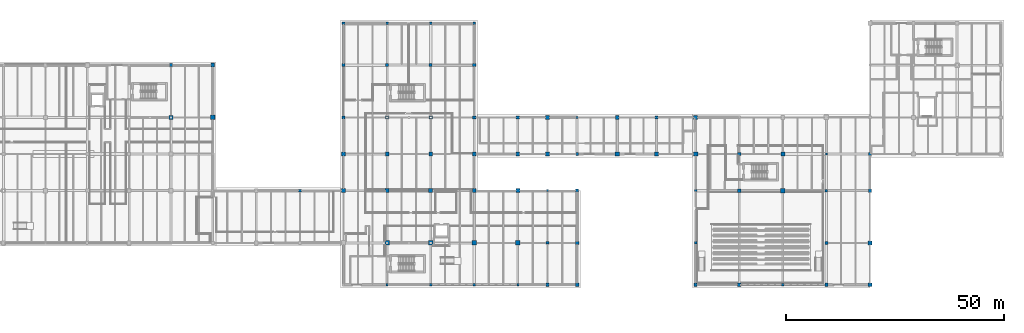
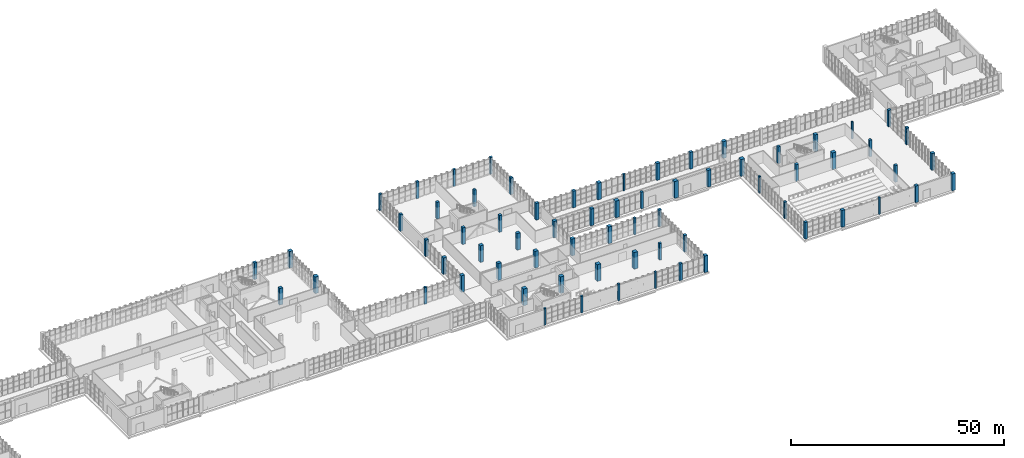
# One storey, part 2 of 121: 69 columns.
"""IFC4 building model written with IfcOpenShell, lengths in metres."""

import ifcopenshell
import ifcopenshell.guid

model = None  # the IFC model being written
_history = None  # IfcOwnerHistory: only IFC2X3 demands one
_inside = {}  # id of a spatial element -> (the spatial element, [elements in it])
_under = {}  # id of a project, library or spatial element -> (it, [spatial elements below it])
_declared = {}  # id of a project -> (the project, [libraries it declares])
_typed = {}  # id of a type object -> (the type object, [elements of that type])
_made_of = {}  # id of a material, layer set ... -> (it, [elements and type objects made of it])


def new_model(schema):
    """Start an empty IFC model of exactly this schema.

    Asked for "IFC4X3", IfcOpenShell would pick the latest addendum, in which some entities
    have other attributes; the version numbers below select the first issue.
    IFC2X3 requires an IfcOwnerHistory on every rooted entity: one is made here for all.
    """
    global model, _history
    if schema == "IFC4X3":
        model = ifcopenshell.file(schema_version=(4, 3, 0, 0))
    else:
        model = ifcopenshell.file(schema=schema)
    _inside.clear()
    _under.clear()
    _declared.clear()
    _typed.clear()
    _made_of.clear()
    _history = None
    if model.schema == "IFC2X3":
        org = make("IfcOrganization", Name="unknown")
        user = make(
            "IfcPersonAndOrganization",
            ThePerson=make("IfcPerson", FamilyName="unknown"),
            TheOrganization=org,
        )
        app = make(
            "IfcApplication",
            ApplicationDeveloper=org,
            Version="unknown",
            ApplicationFullName="unknown",
            ApplicationIdentifier="unknown",
        )
        _history = make(
            "IfcOwnerHistory",
            OwningUser=user,
            OwningApplication=app,
            ChangeAction="ADDED",
            CreationDate=0,
        )
    return model


def make(cls, **values):
    """One entity of the class cls with the attributes given. An attribute that is None is left unset."""
    return model.create_entity(
        cls, **{name: value for name, value in values.items() if value is not None}
    )


def rooted(cls, **values):
    """An entity with a GlobalId (a new one), such as an element, a storey or a relation."""
    return make(cls, GlobalId=ifcopenshell.guid.new(), OwnerHistory=_history, **values)


def si_unit(unit_type, name, prefix=None):
    """IfcSIUnit, for example si_unit("LENGTHUNIT", "METRE", prefix="MILLI")."""
    return make("IfcSIUnit", UnitType=unit_type, Prefix=prefix, Name=name)


def assignment(units):
    """IfcUnitAssignment: the units of a project."""
    return None if units is None else make("IfcUnitAssignment", Units=units)


def point(xyz):
    """IfcCartesianPoint."""
    return None if xyz is None else make("IfcCartesianPoint", Coordinates=xyz)


def direction(xyz):
    """IfcDirection."""
    return None if xyz is None else make("IfcDirection", DirectionRatios=xyz)


def frame(location, z_axis=None, x_axis=None):
    """IfcAxis2Placement3D, a coordinate frame: its origin and axes. An axis left out is left unset."""
    return make(
        "IfcAxis2Placement3D",
        Location=point(location),
        Axis=direction(z_axis),
        RefDirection=direction(x_axis),
    )


def frame_2d(location, x_axis=None):
    """IfcAxis2Placement2D, a coordinate frame in the plane: its origin and x axis."""
    return make(
        "IfcAxis2Placement2D", Location=point(location), RefDirection=direction(x_axis)
    )


def origin():
    """The frame at (0, 0, 0) with its axes left unset."""
    return frame((0.0, 0.0, 0.0))


def origin_2d():
    """The frame at (0, 0) in the plane with its x axis left unset."""
    return frame_2d((0.0, 0.0))


def place(relative_to, where):
    """IfcLocalPlacement: puts the frame where relative to a parent placement (None: the world)."""
    return make(
        "IfcLocalPlacement", PlacementRelTo=relative_to, RelativePlacement=where
    )


def context(
    kind, dimensions, precision=None, world=None, true_north=None, identifier=None
):
    """IfcGeometricRepresentationContext, for example the 3D "Model" context."""
    return make(
        "IfcGeometricRepresentationContext",
        ContextIdentifier=identifier,
        ContextType=kind,
        CoordinateSpaceDimension=dimensions,
        Precision=precision,
        WorldCoordinateSystem=world,
        TrueNorth=true_north,
    )


def subcontext(parent, identifier, kind, view, scale=None):
    """IfcGeometricRepresentationSubContext, for example "Body" below "Model"."""
    return make(
        "IfcGeometricRepresentationSubContext",
        ContextIdentifier=identifier,
        ContextType=kind,
        ParentContext=parent,
        TargetScale=scale,
        TargetView=view,
    )


def project(units=None, contexts=None):
    """IfcProject with its units and contexts."""
    return rooted(
        "IfcProject",
        Name="project",
        RepresentationContexts=contexts,
        UnitsInContext=assignment(units),
    )


def spatial(cls, under=None, at=None, **own):
    """A site, building, storey or space (cls), placed at a placement, below another one or the project."""
    s = rooted(cls, ObjectPlacement=at, **own)
    if under is not None:
        _under.setdefault(under.id(), (under, []))[1].append(s)
    return s


def profile(cls, at=None, kind="AREA", **sizes):
    """A parametric profile (cls). Its sizes go by their IFC names, for example OverallWidth=200.0."""
    return make(cls, ProfileType=kind, Position=at, **sizes)


def rectangle(**sizes):
    """IfcRectangleProfileDef."""
    return profile("IfcRectangleProfileDef", **sizes)


def extrude(swept, where, along, depth):
    """IfcExtrudedAreaSolid: the profile swept, set in the frame where, extruded along a direction by depth."""
    return make(
        "IfcExtrudedAreaSolid",
        SweptArea=swept,
        Position=where,
        ExtrudedDirection=direction(along),
        Depth=depth,
    )


def shape(context_of_items, identifier, shape_type, items):
    """IfcShapeRepresentation: the items that make up one representation, for example the "Body"."""
    return make(
        "IfcShapeRepresentation",
        ContextOfItems=context_of_items,
        RepresentationIdentifier=identifier,
        RepresentationType=shape_type,
        Items=items,
    )


def material(Name=None, Category=None):
    """IfcMaterial."""
    return make("IfcMaterial", Name=Name, Category=Category)


def material_profile(
    of_material, cross_section, Name=None, Category=None, Priority=None
):
    """IfcMaterialProfile: a cross section and its material."""
    return make(
        "IfcMaterialProfile",
        Name=Name,
        Material=of_material,
        Profile=cross_section,
        Priority=Priority,
        Category=Category,
    )


def profile_set(profiles, Name=None, composite=None):
    """IfcMaterialProfileSet."""
    return make(
        "IfcMaterialProfileSet",
        Name=Name,
        MaterialProfiles=profiles,
        CompositeProfile=composite,
    )


def made_of(thing, what):
    """Note that an element or type object is made of a material, layer set ...; save() writes the relation."""
    if what is not None:
        _made_of.setdefault(what.id(), (what, []))[1].append(thing)
    return thing


def type_object(cls, material=None, **own):
    """A type object (cls), such as IfcWallType, which elements share."""
    return made_of(rooted(cls, **own), material)


def element(
    cls,
    number,
    at=None,
    inside=None,
    cuts=None,
    type_object=None,
    material=None,
    context=None,
    identifier="Body",
    shape_type=None,
    held_by="IfcProductDefinitionShape",
    body=None,
    shapes=None,
    **own,
):
    """One element of the class cls, such as IfcWall. Its Tag is "e" and its number.

    at: its placement. inside: the storey or other place that contains it. cuts: it is an
    opening in that element (IfcRelVoidsElement). A single representation is given by context,
    identifier, shape_type and body (its items); several are given by shapes. held_by: the class
    of the entity that holds the representations. save() writes the other relations.
    """
    e = rooted(cls, Tag="e%d" % number, ObjectPlacement=at, **own)
    if body is not None:
        shapes = [shape(context, identifier, shape_type, body)]
    if shapes is not None:
        e.Representation = make(held_by, Representations=shapes)
    if inside is not None:
        _inside.setdefault(inside.id(), (inside, []))[1].append(e)
    if cuts is not None:
        rooted(
            "IfcRelVoidsElement", RelatingBuildingElement=cuts, RelatedOpeningElement=e
        )
    if type_object is not None:
        _typed.setdefault(type_object.id(), (type_object, []))[1].append(e)
    return made_of(e, material)


def aggregate(whole, parts):
    """IfcRelAggregates: a whole, such as a stair, and the parts it consists of."""
    return rooted("IfcRelAggregates", RelatingObject=whole, RelatedObjects=parts)


def save(model, path):
    """Write the relations noted so far, then the file.

    IfcRelAggregates (storeys below a building ...), IfcRelContainedInSpatialStructure (elements
    in a storey), IfcRelDefinesByType, IfcRelAssociatesMaterial and IfcRelDeclares: one each for
    every whole, place, type object, material and project.
    """
    for whole, parts in _under.values():
        aggregate(whole, parts)
    for where, things in _inside.values():
        rooted(
            "IfcRelContainedInSpatialStructure",
            RelatedElements=things,
            RelatingStructure=where,
        )
    for kind, things in _typed.values():
        rooted("IfcRelDefinesByType", RelatedObjects=things, RelatingType=kind)
    for what, things in _made_of.values():
        rooted("IfcRelAssociatesMaterial", RelatedObjects=things, RelatingMaterial=what)
    for by, libraries in _declared.values():
        rooted("IfcRelDeclares", RelatingContext=by, RelatedDefinitions=libraries)
    model.write(path)


model = new_model("IFC4")

# Units and contexts
model_context = context("Model", 3, precision=1e-05, world=origin(), true_north=direction((0.0, 1.0)))
body_context = subcontext(model_context, "Body", "Model", "MODEL_VIEW")
ifc_project = project(units=[si_unit("LENGTHUNIT", "METRE"), si_unit("AREAUNIT", "SQUARE_METRE"), si_unit("VOLUMEUNIT", "CUBIC_METRE"), si_unit("PLANEANGLEUNIT", "RADIAN"), si_unit("MASSUNIT", "GRAM", prefix="KILO")], contexts=[model_context])

# Site, building, storey
site_placement = place(None, origin())
site = spatial("IfcSite", under=ifc_project, at=site_placement, CompositionType="ELEMENT")
building_placement = place(site_placement, origin())
building = spatial("IfcBuilding", under=site, at=building_placement, Name="Zereglee Splitstone Museum", CompositionType="ELEMENT")
storey_placement = place(building_placement, origin())
storey = spatial("IfcBuildingStorey", under=building, at=storey_placement, Name="L00", CompositionType="ELEMENT", Elevation=0.0)

# Columns
ifc_material = material(Name="Concrete C45/55", Category="concrete")
ifc_material_profile_1 = material_profile(ifc_material, rectangle(XDim=1.0, YDim=1.0, at=origin_2d()), Name="RC 1000x1000")
ifc_profile_set_1 = profile_set([ifc_material_profile_1], Name="Concrete C45/55")
column_type_1 = type_object("IfcColumnType", Name="C-02", PredefinedType="COLUMN", material=ifc_profile_set_1)
for number, where, z_axis, x_axis, name in (
    (1, (145.199951171875, 38.39990234375, 0.0), (0.0, 0.0, 1.0), (1.0, 0.0, 0.0), "Column 17/E L00"),
    (2, (185.199951171875, 9.60009765625, 0.0), (0.0, 0.0, 1.0), (1.0, 0.0, 0.0), "Column 21/B L00"),
    (3, (195.199951171875, 9.60009765625, 0.0), (0.0, 0.0, 1.0), (1.0, 0.0, 0.0), "Column 22/B L00"),
    (4, (205.199951171875, 9.60009765625, 0.0), (0.0, 0.0, 1.0), (1.0, 0.0, 0.0), "Column 23/B L00"),
    (5, (215.199951171875, 9.60009765625, 0.0), (0.0, 0.0, 1.0), (1.0, 0.0, 0.0), "Column 24/B L00"),
    (6, (222.0, 30.0, 0.0), (0.0, 0.0, 1.0), (1.0, 0.0, 0.0), "Column 25/D L00"),
    (7, (238.0, 30.0, 0.0), (0.0, 0.0, 1.0), (1.0, 0.0, 0.0), "Column 27/D L00"),
    (8, (256.0, 30.0, 0.0), (0.0, 0.0, 1.0), (1.0, 0.0, 0.0), "Column 29/D L00"),
    (9, (276.0, 21.60009765625, 0.0), (0.0, 0.0, 1.0), (1.0, 0.0, 0.0), "Column 31/C L00"),
):
    element("IfcColumn", number, at=place(storey_placement, frame(where, z_axis=z_axis, x_axis=x_axis)), inside=storey, type_object=column_type_1, Name=name, PredefinedType="COLUMN", context=body_context, shape_type="SweptSolid", body=[
        extrude(rectangle(XDim=1.0, YDim=1.0, at=origin_2d()), origin(), (0.0, 0.0, 1.0), 4.800048828125),
    ])
ifc_material_profile_2 = material_profile(ifc_material, rectangle(XDim=0.5, YDim=0.5, at=origin_2d()), Name="RC 500x500")
ifc_profile_set_2 = profile_set([ifc_material_profile_2], Name="Concrete C45/55")
column_type_2 = type_object("IfcColumnType", Name="C-08", PredefinedType="COLUMN", material=ifc_profile_set_2)
for number, where, z_axis, x_axis, name in (
    (10, (185.199951171875, 0.0, 0.0), (0.0, 0.0, 1.0), (1.0, 0.0, 0.0), "Column 21/A L00"),
    (11, (195.199951171875, 0.0, 0.0), (0.0, 0.0, 1.0), (1.0, 0.0, 0.0), "Column 22/A L00"),
    (12, (205.199951171875, 0.0, 0.0), (0.0, 0.0, 1.0), (1.0, 0.0, 0.0), "Column 23/A L00"),
    (13, (215.199951171875, 0.0, 0.0), (0.0, 0.0, 1.0), (1.0, 0.0, 0.0), "Column 24/A L00"),
    (14, (222.0, 21.60009765625, 0.0), (0.0, 0.0, 1.0), (1.0, 0.0, 0.0), "Column 25/C L00"),
    (15, (228.800048828125, 38.39990234375, 0.0), (0.0, 0.0, 1.0), (1.0, 0.0, 0.0), "Column 26/E L00"),
    (16, (256.0, 21.60009765625, 0.0), (0.0, 0.0, 1.0), (1.0, 0.0, 0.0), "Column 29/C L00"),
    (17, (276.0, 0.0, 0.0), (0.0, 0.0, 1.0), (1.0, 0.0, 0.0), "Column 31/A L00"),
    (18, (286.0, 30.0, 0.0), (0.0, 0.0, 1.0), (1.0, 0.0, 0.0), "Column 32/D L00"),
):
    element("IfcColumn", number, at=place(storey_placement, frame(where, z_axis=z_axis, x_axis=x_axis)), inside=storey, type_object=column_type_2, Name=name, PredefinedType="COLUMN", context=body_context, shape_type="SweptSolid", body=[
        extrude(rectangle(XDim=0.5, YDim=0.5, at=origin_2d()), origin(), (0.0, 0.0, 1.0), 4.800048828125),
    ])
ifc_material_profile_3 = material_profile(ifc_material, rectangle(XDim=0.60009765625, YDim=0.60009765625, at=origin_2d()), Name="RC 600x600")
ifc_profile_set_3 = profile_set([ifc_material_profile_3], Name="Concrete C45/55")
column_type_3 = type_object("IfcColumnType", Name="C-07", PredefinedType="COLUMN", material=ifc_profile_set_3)
for number, where, z_axis, x_axis, name in (
    (19, (165.199951171875, 21.60009765625, 0.0), (0.0, 0.0, 1.0), (1.0, 0.0, 0.0), "Column 19/C L00"),
    (20, (175.199951171875, 60.0, 0.0), (0.0, 0.0, 1.0), (1.0, 0.0, 0.0), "Column 20/G L00"),
    (21, (185.199951171875, 60.0, 0.0), (0.0, 0.0, 1.0), (1.0, 0.0, 0.0), "Column 21/G L00"),
    (22, (195.199951171875, 60.0, 0.0), (0.0, 0.0, 1.0), (1.0, 0.0, 0.0), "Column 22/G L00"),
    (23, (205.199951171875, 60.0, 0.0), (0.0, 0.0, 1.0), (1.0, 0.0, 0.0), "Column 23/G L00"),
    (24, (222.0, 9.60009765625, 0.0), (0.0, 0.0, 1.0), (1.0, 0.0, 0.0), "Column 25/B L00"),
    (25, (228.800048828125, 30.0, 0.0), (0.0, 0.0, 1.0), (1.0, 0.0, 0.0), "Column 26/D L00"),
    (26, (256.0, 9.60009765625, 0.0), (0.0, 0.0, 1.0), (1.0, 0.0, 0.0), "Column 29/B L00"),
    (27, (286.0, 21.60009765625, 0.0), (0.0, 0.0, 1.0), (1.0, 0.0, 0.0), "Column 32/C L00"),
):
    element("IfcColumn", number, at=place(storey_placement, frame(where, z_axis=z_axis, x_axis=x_axis)), inside=storey, type_object=column_type_3, Name=name, PredefinedType="COLUMN", context=body_context, shape_type="SweptSolid", body=[
        extrude(rectangle(XDim=0.60009765625, YDim=0.60009765625, at=origin_2d()), origin(), (0.0, 0.0, 1.0), 4.800048828125),
    ])
ifc_material_profile_4 = material_profile(ifc_material, rectangle(XDim=0.699951171875, YDim=0.699951171875, at=origin_2d()), Name="RC 700x700")
ifc_profile_set_4 = profile_set([ifc_material_profile_4], Name="Concrete C45/55")
column_type_4 = type_object("IfcColumnType", Name="C-06", PredefinedType="COLUMN", material=ifc_profile_set_4)
for number, where, z_axis, x_axis, name in (
    (28, (175.199951171875, 50.39990234375, 0.0), (0.0, 0.0, 1.0), (1.0, 0.0, 0.0), "Column 20/F L00"),
    (29, (185.199951171875, 50.39990234375, 0.0), (0.0, 0.0, 1.0), (1.0, 0.0, 0.0), "Column 21/F L00"),
    (30, (195.199951171875, 50.39990234375, 0.0), (0.0, 0.0, 1.0), (1.0, 0.0, 0.0), "Column 22/F L00"),
    (31, (205.199951171875, 50.39990234375, 0.0), (0.0, 0.0, 1.0), (1.0, 0.0, 0.0), "Column 23/F L00"),
    (32, (222.0, 0.0, 0.0), (0.0, 0.0, 1.0), (1.0, 0.0, 0.0), "Column 25/A L00"),
    (33, (228.800048828125, 21.60009765625, 0.0), (0.0, 0.0, 1.0), (1.0, 0.0, 0.0), "Column 26/C L00"),
    (34, (256.0, 0.0, 0.0), (0.0, 0.0, 1.0), (1.0, 0.0, 0.0), "Column 29/A L00"),
    (35, (266.0, 30.0, 0.0), (0.0, 0.0, 1.0), (1.0, 0.0, 0.0), "Column 30/D L00"),
    (36, (286.0, 9.60009765625, 0.0), (0.0, 0.0, 1.0), (1.0, 0.0, 0.0), "Column 32/B L00"),
    (37, (296.0, 30.0, 0.0), (0.0, 0.0, 1.0), (1.0, 0.0, 0.0), "Column 33/D L00"),
):
    element("IfcColumn", number, at=place(storey_placement, frame(where, z_axis=z_axis, x_axis=x_axis)), inside=storey, type_object=column_type_4, Name=name, PredefinedType="COLUMN", context=body_context, shape_type="SweptSolid", body=[
        extrude(rectangle(XDim=0.699951171875, YDim=0.699951171875, at=origin_2d()), origin(), (0.0, 0.0, 1.0), 4.800048828125),
    ])
ifc_material_profile_5 = material_profile(ifc_material, rectangle(XDim=0.75, YDim=0.75, at=origin_2d()), Name="RC 750x750")
ifc_profile_set_5 = profile_set([ifc_material_profile_5], Name="Concrete C45/55")
column_type_5 = type_object("IfcColumnType", Name="C-05", PredefinedType="COLUMN", material=ifc_profile_set_5)
for number, where, z_axis, x_axis, name in (
    (38, (135.60009765625, 50.39990234375, 0.0), (0.0, 0.0, 1.0), (1.0, 0.0, 0.0), "Column 16/F L00"),
    (39, (175.199951171875, 38.39990234375, 0.0), (0.0, 0.0, 1.0), (1.0, 0.0, 0.0), "Column 20/E L00"),
    (40, (185.199951171875, 38.39990234375, 0.0), (0.0, 0.0, 1.0), (1.0, 0.0, 0.0), "Column 21/E L00"),
    (41, (195.199951171875, 38.39990234375, 0.0), (0.0, 0.0, 1.0), (1.0, 0.0, 0.0), "Column 22/E L00"),
    (42, (205.199951171875, 38.39990234375, 0.0), (0.0, 0.0, 1.0), (1.0, 0.0, 0.0), "Column 23/E L00"),
    (43, (215.199951171875, 38.39990234375, 0.0), (0.0, 0.0, 1.0), (1.0, 0.0, 0.0), "Column 24/E L00"),
    (44, (228.800048828125, 9.60009765625, 0.0), (0.0, 0.0, 1.0), (1.0, 0.0, 0.0), "Column 26/B L00"),
    (45, (247.0, 38.39990234375, 0.0), (0.0, 0.0, 1.0), (1.0, 0.0, 0.0), "Column 28/E L00"),
    (46, (266.0, 21.60009765625, 0.0), (0.0, 0.0, 1.0), (1.0, 0.0, 0.0), "Column 30/C L00"),
    (47, (286.0, 0.0, 0.0), (0.0, 0.0, 1.0), (1.0, 0.0, 0.0), "Column 32/A L00"),
    (48, (296.0, 21.60009765625, 0.0), (0.0, 0.0, 1.0), (1.0, 0.0, 0.0), "Column 33/C L00"),
):
    element("IfcColumn", number, at=place(storey_placement, frame(where, z_axis=z_axis, x_axis=x_axis)), inside=storey, type_object=column_type_5, Name=name, PredefinedType="COLUMN", context=body_context, shape_type="SweptSolid", body=[
        extrude(rectangle(XDim=0.75, YDim=0.75, at=origin_2d()), origin(), (0.0, 0.0, 1.0), 4.800048828125),
    ])
ifc_material_profile_6 = material_profile(ifc_material, rectangle(XDim=0.85009765625, YDim=0.85009765625, at=origin_2d()), Name="RC 850x850")
ifc_profile_set_6 = profile_set([ifc_material_profile_6], Name="Concrete C45/55")
column_type_6 = type_object("IfcColumnType", Name="C-04", PredefinedType="COLUMN", material=ifc_profile_set_6)
for number, where, z_axis, x_axis, name in (
    (49, (135.60009765625, 38.39990234375, 0.0), (0.0, 0.0, 1.0), (1.0, 0.0, 0.0), "Column 16/E L00"),
    (50, (175.199951171875, 30.0, 0.0), (0.0, 0.0, 1.0), (1.0, 0.0, 0.0), "Column 20/D L00"),
    (51, (185.199951171875, 30.0, 0.0), (0.0, 0.0, 1.0), (1.0, 0.0, 0.0), "Column 21/D L00"),
    (52, (195.199951171875, 30.0, 0.0), (0.0, 0.0, 1.0), (1.0, 0.0, 0.0), "Column 22/D L00"),
    (53, (205.199951171875, 30.0, 0.0), (0.0, 0.0, 1.0), (1.0, 0.0, 0.0), "Column 23/D L00"),
    (54, (215.199951171875, 30.0, 0.0), (0.0, 0.0, 1.0), (1.0, 0.0, 0.0), "Column 24/D L00"),
    (55, (228.800048828125, 0.0, 0.0), (0.0, 0.0, 1.0), (1.0, 0.0, 0.0), "Column 26/A L00"),
    (56, (247.0, 30.0, 0.0), (0.0, 0.0, 1.0), (1.0, 0.0, 0.0), "Column 28/D L00"),
    (57, (266.0, 0.0, 0.0), (0.0, 0.0, 1.0), (1.0, 0.0, 0.0), "Column 30/A L00"),
    (58, (296.0, 9.60009765625, 0.0), (0.0, 0.0, 1.0), (1.0, 0.0, 0.0), "Column 33/B L00"),
):
    element("IfcColumn", number, at=place(storey_placement, frame(where, z_axis=z_axis, x_axis=x_axis)), inside=storey, type_object=column_type_6, Name=name, PredefinedType="COLUMN", context=body_context, shape_type="SweptSolid", body=[
        extrude(rectangle(XDim=0.85009765625, YDim=0.85009765625, at=origin_2d()), origin(), (0.0, 0.0, 1.0), 4.800048828125),
    ])
ifc_material_profile_7 = material_profile(ifc_material, rectangle(XDim=0.89990234375, YDim=0.89990234375, at=origin_2d()), Name="RC 900x900")
ifc_profile_set_7 = profile_set([ifc_material_profile_7], Name="Concrete C45/55")
column_type_7 = type_object("IfcColumnType", Name="C-03", PredefinedType="COLUMN", material=ifc_profile_set_7)
for number, where, z_axis, x_axis, name in (
    (59, (145.199951171875, 50.39990234375, 0.0), (0.0, 0.0, 1.0), (1.0, 0.0, 0.0), "Column 17/F L00"),
    (60, (175.199951171875, 21.60009765625, 0.0), (0.0, 0.0, 1.0), (1.0, 0.0, 0.0), "Column 20/C L00"),
    (61, (185.199951171875, 21.60009765625, 0.0), (0.0, 0.0, 1.0), (1.0, 0.0, 0.0), "Column 21/C L00"),
    (62, (195.199951171875, 21.60009765625, 0.0), (0.0, 0.0, 1.0), (1.0, 0.0, 0.0), "Column 22/C L00"),
    (63, (205.199951171875, 21.60009765625, 0.0), (0.0, 0.0, 1.0), (1.0, 0.0, 0.0), "Column 23/C L00"),
    (64, (215.199951171875, 21.60009765625, 0.0), (0.0, 0.0, 1.0), (1.0, 0.0, 0.0), "Column 24/C L00"),
    (65, (222.0, 38.39990234375, 0.0), (0.0, 0.0, 1.0), (1.0, 0.0, 0.0), "Column 25/E L00"),
    (66, (238.0, 38.39990234375, 0.0), (0.0, 0.0, 1.0), (1.0, 0.0, 0.0), "Column 27/E L00"),
    (67, (256.0, 38.39990234375, 0.0), (0.0, 0.0, 1.0), (1.0, 0.0, 0.0), "Column 29/E L00"),
    (68, (276.0, 30.0, 0.0), (0.0, 0.0, 1.0), (1.0, 0.0, 0.0), "Column 31/D L00"),
    (69, (296.0, 0.0, 0.0), (0.0, 0.0, 1.0), (1.0, 0.0, 0.0), "Column 33/A L00"),
):
    element("IfcColumn", number, at=place(storey_placement, frame(where, z_axis=z_axis, x_axis=x_axis)), inside=storey, type_object=column_type_7, Name=name, PredefinedType="COLUMN", context=body_context, shape_type="SweptSolid", body=[
        extrude(rectangle(XDim=0.89990234375, YDim=0.89990234375, at=origin_2d()), origin(), (0.0, 0.0, 1.0), 4.800048828125),
    ])

save(model, "model.ifc")
